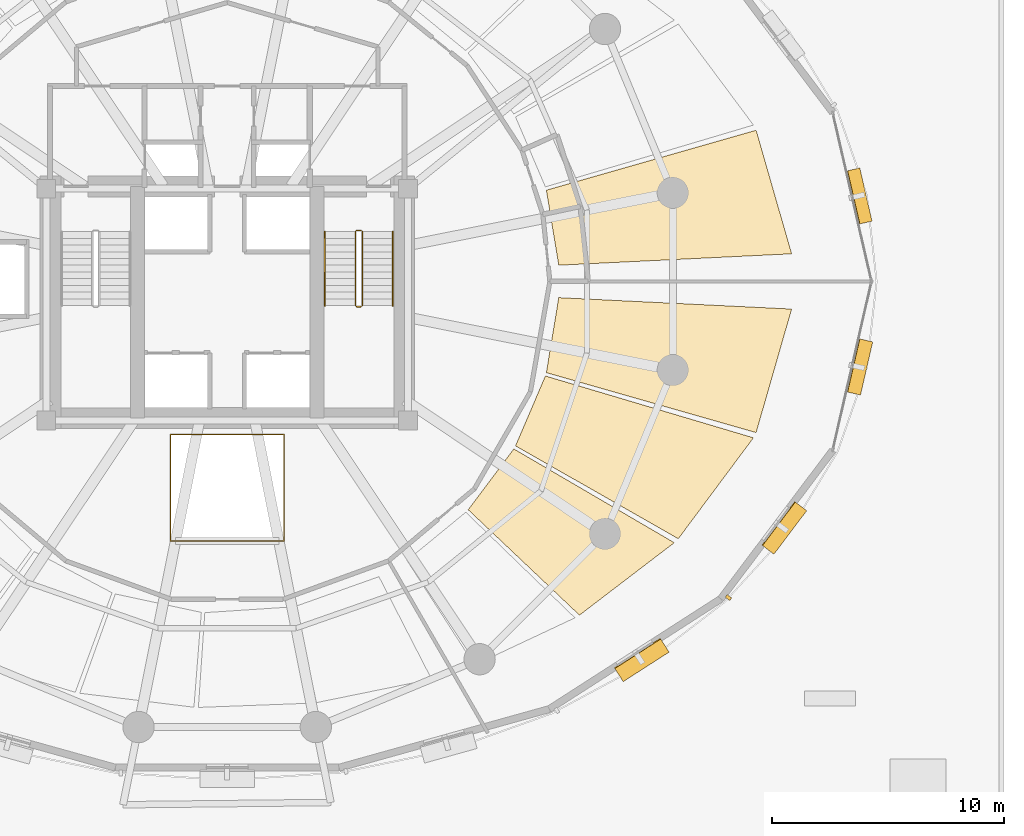
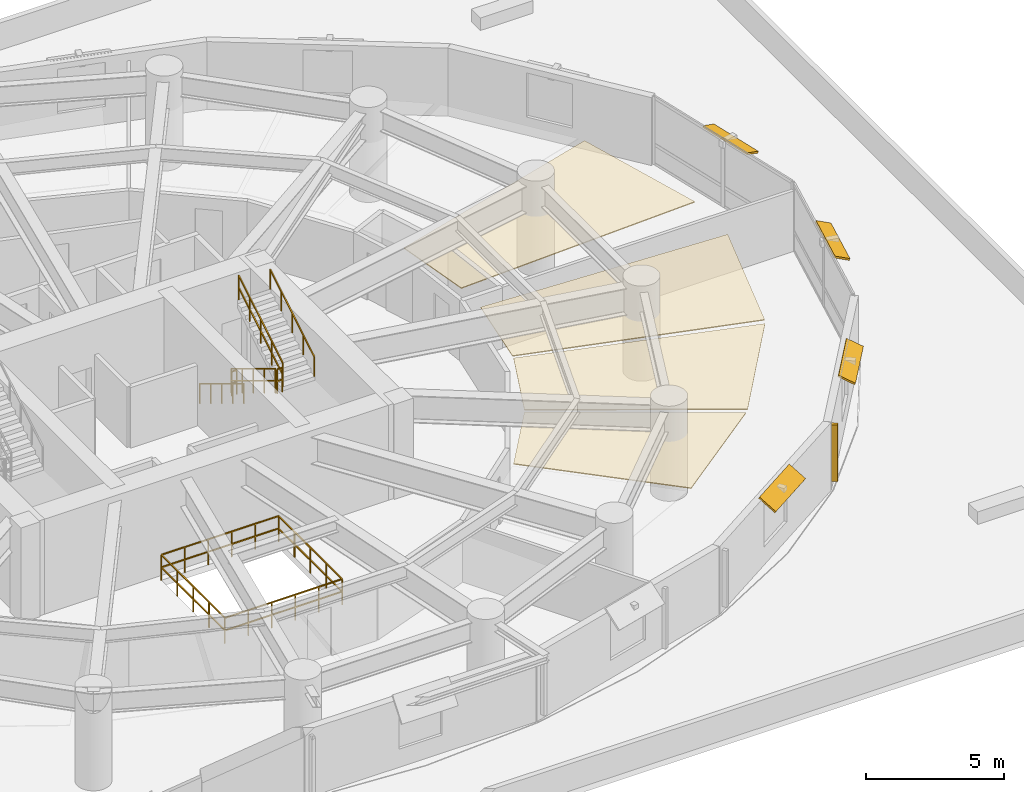
# One storey, part 14 of 15: 7 railings, 5 shading devices, 4 coverings.
"""IFC4 building model written with IfcOpenShell, lengths in metres."""

from ifc_helpers import new_model, si_unit, direction, frame, origin, origin_2d, place, context, subcontext, project, spatial, polyline, rectangle, outline, extrude, material, layer, layer_set, type_object, element, save


model = new_model("IFC4")

# Units and contexts
model_context = context("Model", 3, precision=1e-05, world=origin(), true_north=direction((0.0, 1.0)))
body_context = subcontext(model_context, "Body", "Model", "MODEL_VIEW")
ifc_project = project(units=[si_unit("LENGTHUNIT", "METRE"), si_unit("AREAUNIT", "SQUARE_METRE"), si_unit("VOLUMEUNIT", "CUBIC_METRE"), si_unit("PLANEANGLEUNIT", "RADIAN"), si_unit("MASSUNIT", "GRAM", prefix="KILO"), si_unit("THERMODYNAMICTEMPERATUREUNIT", "KELVIN"), si_unit("POWERUNIT", "WATT")], contexts=[model_context])

# Site, building, storey
site_placement = place(None, origin())
site = spatial("IfcSite", under=ifc_project, at=site_placement, CompositionType="ELEMENT")
building_placement = place(site_placement, origin())
building = spatial("IfcBuilding", under=site, at=building_placement, Name="Ocrelia Relay Tower", CompositionType="ELEMENT")
storey_placement = place(building_placement, frame((0.0, 0.0, 30.0)))
storey = spatial("IfcBuildingStorey", under=building, at=storey_placement, Name="L06", CompositionType="ELEMENT", Elevation=30.0)

# Coverings
ifc_material_1 = material(Name="Mineral-fiber acoustic ceiling tile", Category="gypsum")
ifc_layer_1 = layer(ifc_material_1, 0.0400390625, Name="Mineral-fiber acoustic ceiling tile")
ifc_layer_set_1 = layer_set([ifc_layer_1], Name="Mineral-fiber acoustic ceiling tile")
covering_type_1 = type_object("IfcCoveringType", Name="COV-CEIL-ACOUSTIC", PredefinedType="CEILING", material=ifc_layer_set_1)
covering_1_placement = place(storey_placement, frame((0.0, 0.0, 2.590087890625)))
element("IfcCovering", 1, at=covering_1_placement, inside=storey, type_object=covering_type_1, Name="L06 Operations Control Office Suspended Ceiling 1", PredefinedType="CEILING", context=body_context, shape_type="SweptSolid", body=[
    extrude(outline(polyline([(48.302978515625, 26.699462890625), (58.348876953125, 27.19091796875), (56.81640625, 32.52099609375), (47.768798828125, 29.93505859375), (48.302978515625, 26.699462890625)])), origin(), (0.0, 0.0, 1.0), 0.039794921875),
])
ifc_material_2 = material(Name="Cleanroom metal-pan acoustic ceiling", Category="aluminium")
ifc_layer_2 = layer(ifc_material_2, 0.0400390625, Name="Cleanroom metal-pan acoustic ceiling")
ifc_layer_set_2 = layer_set([ifc_layer_2], Name="Cleanroom metal-pan acoustic ceiling")
covering_type_2 = type_object("IfcCoveringType", Name="COV-CEIL-CLEAN", PredefinedType="CEILING", material=ifc_layer_set_2)
covering_2_placement = place(storey_placement, frame((0.0, 0.0, 2.590087890625)))
element("IfcCovering", 2, at=covering_2_placement, inside=storey, type_object=covering_type_2, Name="L06 Telemetry Operations Studio Suspended Ceiling 2", PredefinedType="CEILING", context=body_context, shape_type="SweptSolid", body=[
    extrude(outline(polyline([(44.39599609375, 16.15185546875), (49.196533203125, 11.604248046875), (53.287109375, 14.7294921875), (46.36376953125, 18.775146484375), (44.39599609375, 16.15185546875)])), origin(), (0.0, 0.0, 1.0), 0.039794921875),
])
covering_3_placement = place(storey_placement, frame((0.0, 0.0, 2.590087890625)))
element("IfcCovering", 3, at=covering_3_placement, inside=storey, type_object=covering_type_2, Name="L06 Telemetry Operations Studio Suspended Ceiling 3", PredefinedType="CEILING", context=body_context, shape_type="SweptSolid", body=[
    extrude(outline(polyline([(46.438720703125, 18.905029296875), (53.460205078125, 14.900146484375), (56.700927734375, 19.254150390625), (47.726806640625, 21.9208984375), (46.438720703125, 18.905029296875)])), origin(), (0.0, 0.0, 1.0), 0.039794921875),
])
covering_4_placement = place(storey_placement, frame((0.0, 0.0, 2.590087890625)))
element("IfcCovering", 4, at=covering_4_placement, inside=storey, type_object=covering_type_2, Name="L06 Telemetry Operations Studio Suspended Ceiling 4", PredefinedType="CEILING", context=body_context, shape_type="SweptSolid", body=[
    extrude(outline(polyline([(47.768798828125, 22.06494140625), (56.81640625, 19.47900390625), (58.348876953125, 24.80908203125), (48.302978515625, 25.300537109375), (47.768798828125, 22.06494140625)])), origin(), (0.0, 0.0, 1.0), 0.039794921875),
])

# Railings
ifc_material_3 = material(Name="Steel S355 atrium balustrade", Category="steel")
railing_type_1 = type_object("IfcRailingType", Name="RL-INT-GUARD-115", PredefinedType="GUARDRAIL", material=ifc_material_3)
railing_1_placement = place(storey_placement, frame((31.550048828125, 14.800048828125, 0.0)))
element("IfcRailing", 5, at=railing_1_placement, inside=storey, type_object=railing_type_1, Name="L06 Multi-Zone Interior Atrium Guard", PredefinedType="GUARDRAIL", context=body_context, shape_type="SweptSolid", body=[
    extrude(rectangle(XDim=0.048095703125, YDim=0.048095703125, at=origin_2d()), frame((0.0, 0.0, 1.1259765625), z_axis=(1.0, 0.0, 0.0), x_axis=(0.0, 1.0, 0.0)), (0.0, 0.0, 1.0), 4.89990234375),
    extrude(rectangle(XDim=0.048095703125, YDim=0.048095703125, at=origin_2d()), frame((0.0, 0.0, 0.574951171875), z_axis=(1.0, 0.0, 0.0), x_axis=(0.0, 1.0, 0.0)), (0.0, 0.0, 1.0), 4.89990234375),
    extrude(rectangle(XDim=0.048095703125, YDim=0.048095703125, at=origin_2d()), frame((4.89990234375, 0.0, 1.1259765625), z_axis=(0.0, 1.0, 0.0), x_axis=(-1.0, 0.0, 0.0)), (0.0, 0.0, 1.0), 4.599853515625),
    extrude(rectangle(XDim=0.048095703125, YDim=0.048095703125, at=origin_2d()), frame((4.89990234375, 0.0, 0.574951171875), z_axis=(0.0, 1.0, 0.0), x_axis=(-1.0, 0.0, 0.0)), (0.0, 0.0, 1.0), 4.599853515625),
    extrude(rectangle(XDim=0.048095703125, YDim=0.048095703125, at=origin_2d()), frame((4.89990234375, 4.599853515625, 1.1259765625), z_axis=(-1.0, 0.0, 0.0), x_axis=(0.0, -1.0, 0.0)), (0.0, 0.0, 1.0), 4.89990234375),
    extrude(rectangle(XDim=0.048095703125, YDim=0.048095703125, at=origin_2d()), frame((4.89990234375, 4.599853515625, 0.574951171875), z_axis=(-1.0, 0.0, 0.0), x_axis=(0.0, -1.0, 0.0)), (0.0, 0.0, 1.0), 4.89990234375),
    extrude(rectangle(XDim=0.048095703125, YDim=0.048095703125, at=origin_2d()), frame((0.0, 4.599853515625, 1.1259765625), z_axis=(0.0, -1.0, 0.0), x_axis=(1.0, 0.0, 0.0)), (0.0, 0.0, 1.0), 4.599853515625),
    extrude(rectangle(XDim=0.048095703125, YDim=0.048095703125, at=origin_2d()), frame((0.0, 4.599853515625, 0.574951171875), z_axis=(0.0, -1.0, 0.0), x_axis=(1.0, 0.0, 0.0)), (0.0, 0.0, 1.0), 4.599853515625),
    extrude(rectangle(XDim=0.0419921875, YDim=0.0419921875, at=origin_2d()), origin(), (0.0, 0.0, 1.0), 1.101806640625),
    extrude(rectangle(XDim=0.0419921875, YDim=0.0419921875, at=origin_2d()), frame((0.97998046875, 0.0, 0.0)), (0.0, 0.0, 1.0), 1.101806640625),
    extrude(rectangle(XDim=0.0419921875, YDim=0.0419921875, at=origin_2d()), frame((1.9599609375, 0.0, 0.0)), (0.0, 0.0, 1.0), 1.101806640625),
    extrude(rectangle(XDim=0.0419921875, YDim=0.0419921875, at=origin_2d()), frame((2.93994140625, 0.0, 0.0)), (0.0, 0.0, 1.0), 1.101806640625),
    extrude(rectangle(XDim=0.0419921875, YDim=0.0419921875, at=origin_2d()), frame((3.919921875, 0.0, 0.0)), (0.0, 0.0, 1.0), 1.101806640625),
    extrude(rectangle(XDim=0.0419921875, YDim=0.0419921875, at=origin_2d()), frame((4.89990234375, 0.0, 0.0)), (0.0, 0.0, 1.0), 1.101806640625),
    extrude(rectangle(XDim=0.0419921875, YDim=0.0419921875, at=origin_2d()), frame((4.89990234375, 1.14990234375, 0.0)), (0.0, 0.0, 1.0), 1.101806640625),
    extrude(rectangle(XDim=0.0419921875, YDim=0.0419921875, at=origin_2d()), frame((4.89990234375, 2.2998046875, 0.0)), (0.0, 0.0, 1.0), 1.101806640625),
    extrude(rectangle(XDim=0.0419921875, YDim=0.0419921875, at=origin_2d()), frame((4.89990234375, 3.449951171875, 0.0)), (0.0, 0.0, 1.0), 1.101806640625),
    extrude(rectangle(XDim=0.0419921875, YDim=0.0419921875, at=origin_2d()), frame((4.89990234375, 4.599853515625, 0.0)), (0.0, 0.0, 1.0), 1.101806640625),
    extrude(rectangle(XDim=0.0419921875, YDim=0.0419921875, at=origin_2d()), frame((3.919921875, 4.599853515625, 0.0)), (0.0, 0.0, 1.0), 1.101806640625),
    extrude(rectangle(XDim=0.0419921875, YDim=0.0419921875, at=origin_2d()), frame((2.93994140625, 4.599853515625, 0.0)), (0.0, 0.0, 1.0), 1.101806640625),
    extrude(rectangle(XDim=0.0419921875, YDim=0.0419921875, at=origin_2d()), frame((1.9599609375, 4.599853515625, 0.0)), (0.0, 0.0, 1.0), 1.101806640625),
    extrude(rectangle(XDim=0.0419921875, YDim=0.0419921875, at=origin_2d()), frame((0.97998046875, 4.599853515625, 0.0)), (0.0, 0.0, 1.0), 1.101806640625),
    extrude(rectangle(XDim=0.0419921875, YDim=0.0419921875, at=origin_2d()), frame((0.0, 4.599853515625, 0.0)), (0.0, 0.0, 1.0), 1.101806640625),
    extrude(rectangle(XDim=0.0419921875, YDim=0.0419921875, at=origin_2d()), frame((0.0, 3.449951171875, 0.0)), (0.0, 0.0, 1.0), 1.101806640625),
    extrude(rectangle(XDim=0.0419921875, YDim=0.0419921875, at=origin_2d()), frame((0.0, 2.2998046875, 0.0)), (0.0, 0.0, 1.0), 1.101806640625),
    extrude(rectangle(XDim=0.0419921875, YDim=0.0419921875, at=origin_2d()), frame((0.0, 1.14990234375, 0.0)), (0.0, 0.0, 1.0), 1.101806640625),
])
ifc_material_4 = material(Name="Steel S355 balustrade", Category="steel")
railing_type_2 = type_object("IfcRailingType", Name="RL-STAIR-GUARD", PredefinedType="GUARDRAIL", material=ifc_material_4)
railing_2_placement = place(storey_placement, frame((39.530029296875, 28.14990234375, 0.175048828125)))
element("IfcRailing", 6, at=railing_2_placement, inside=storey, type_object=railing_type_2, Name="L06 ST2 stair guard 1", PredefinedType="GUARDRAIL", context=body_context, shape_type="SweptSolid", body=[
    extrude(rectangle(XDim=0.048095703125, YDim=0.048095703125, at=origin_2d()), frame((0.0, 0.0, 1.076171875), z_axis=(0.0, -0.856177665481, 0.516681531633), x_axis=(1.0, 0.0, 0.0)), (0.0, 0.0, 1.0), 3.725830078125),
    extrude(rectangle(XDim=0.048095703125, YDim=0.048095703125, at=origin_2d()), frame((0.0, 0.0, 0.550048828125), z_axis=(0.0, -0.856177665481, 0.516681531633), x_axis=(1.0, 0.0, 0.0)), (0.0, 0.0, 1.0), 3.725830078125),
    extrude(rectangle(XDim=0.0419921875, YDim=0.0419921875, at=origin_2d()), origin(), (0.0, 0.0, 1.0), 1.052001953125),
    extrude(rectangle(XDim=0.0419921875, YDim=0.0419921875, at=origin_2d()), frame((0.0, -0.79736328125, 0.481201171875)), (0.0, 0.0, 1.0), 1.052001953125),
    extrude(rectangle(XDim=0.0419921875, YDim=0.0419921875, at=origin_2d()), frame((0.0, -1.594970703125, 0.96240234375)), (0.0, 0.0, 1.0), 1.052001953125),
    extrude(rectangle(XDim=0.0419921875, YDim=0.0419921875, at=origin_2d()), frame((0.0, -2.392578125, 1.44384765625)), (0.0, 0.0, 1.0), 1.052001953125),
    extrude(rectangle(XDim=0.0419921875, YDim=0.0419921875, at=origin_2d()), frame((0.0, -3.18994140625, 1.925048828125)), (0.0, 0.0, 1.0), 1.052001953125),
])
railing_3_placement = place(storey_placement, frame((39.580078125, 24.909912109375, 2.10009765625)))
element("IfcRailing", 7, at=railing_3_placement, inside=storey, type_object=railing_type_2, Name="L06 ST2 stair guard 2", PredefinedType="GUARDRAIL", context=body_context, shape_type="SweptSolid", body=[
    extrude(rectangle(XDim=0.048095703125, YDim=0.048095703125, at=origin_2d()), frame((0.0, 0.0, 1.076171875), z_axis=(1.0, 0.0, 0.0), x_axis=(0.0, 1.0, 0.0)), (0.0, 0.0, 1.0), 0.199951171875),
    extrude(rectangle(XDim=0.048095703125, YDim=0.048095703125, at=origin_2d()), frame((0.0, 0.0, 0.550048828125), z_axis=(1.0, 0.0, 0.0), x_axis=(0.0, 1.0, 0.0)), (0.0, 0.0, 1.0), 0.199951171875),
    extrude(rectangle(XDim=0.0419921875, YDim=0.0419921875, at=origin_2d()), origin(), (0.0, 0.0, 1.0), 1.052001953125),
    extrude(rectangle(XDim=0.0419921875, YDim=0.0419921875, at=origin_2d()), frame((0.199951171875, 0.0, 0.0)), (0.0, 0.0, 1.0), 1.052001953125),
])
railing_4_placement = place(storey_placement, frame((39.830078125, 24.9599609375, 2.27490234375)))
element("IfcRailing", 8, at=railing_4_placement, inside=storey, type_object=railing_type_2, Name="L06 ST2 stair guard 3", PredefinedType="GUARDRAIL", context=body_context, shape_type="SweptSolid", body=[
    extrude(rectangle(XDim=0.048095703125, YDim=0.048095703125, at=origin_2d()), frame((0.0, 0.0, 1.076171875), z_axis=(0.0, 0.856177665481, 0.516681531633), x_axis=(-1.0, 0.0, 0.0)), (0.0, 0.0, 1.0), 3.725830078125),
    extrude(rectangle(XDim=0.048095703125, YDim=0.048095703125, at=origin_2d()), frame((0.0, 0.0, 0.550048828125), z_axis=(0.0, 0.856177665481, 0.516681531633), x_axis=(-1.0, 0.0, 0.0)), (0.0, 0.0, 1.0), 3.725830078125),
    extrude(rectangle(XDim=0.0419921875, YDim=0.0419921875, at=origin_2d()), origin(), (0.0, 0.0, 1.0), 1.052001953125),
    extrude(rectangle(XDim=0.0419921875, YDim=0.0419921875, at=origin_2d()), frame((0.0, 0.79736328125, 0.481201171875)), (0.0, 0.0, 1.0), 1.052001953125),
    extrude(rectangle(XDim=0.0419921875, YDim=0.0419921875, at=origin_2d()), frame((0.0, 1.594970703125, 0.96240234375)), (0.0, 0.0, 1.0), 1.052001953125),
    extrude(rectangle(XDim=0.0419921875, YDim=0.0419921875, at=origin_2d()), frame((0.0, 2.392578125, 1.44384765625)), (0.0, 0.0, 1.0), 1.052001953125),
    extrude(rectangle(XDim=0.0419921875, YDim=0.0419921875, at=origin_2d()), frame((0.0, 3.18994140625, 1.925048828125)), (0.0, 0.0, 1.0), 1.052001953125),
])
railing_5_placement = place(storey_placement, frame((39.580078125, 28.199951171875, 0.0)))
element("IfcRailing", 9, at=railing_5_placement, inside=storey, type_object=railing_type_2, Name="L06 ST2 stair guard 4", PredefinedType="GUARDRAIL", context=body_context, shape_type="SweptSolid", body=[
    extrude(rectangle(XDim=0.048095703125, YDim=0.048095703125, at=origin_2d()), frame((0.0, 0.0, 1.076171875), z_axis=(1.0, 0.0, 0.0), x_axis=(0.0, 1.0, 0.0)), (0.0, 0.0, 1.0), 0.199951171875),
    extrude(rectangle(XDim=0.048095703125, YDim=0.048095703125, at=origin_2d()), frame((0.0, 0.0, 0.550048828125), z_axis=(1.0, 0.0, 0.0), x_axis=(0.0, 1.0, 0.0)), (0.0, 0.0, 1.0), 0.199951171875),
    extrude(rectangle(XDim=0.0419921875, YDim=0.0419921875, at=origin_2d()), origin(), (0.0, 0.0, 1.0), 1.052001953125),
    extrude(rectangle(XDim=0.0419921875, YDim=0.0419921875, at=origin_2d()), frame((0.199951171875, 0.0, 0.0)), (0.0, 0.0, 1.0), 1.052001953125),
])
ifc_material_5 = material(Name="Steel S355 tubular handrail", Category="steel")
railing_type_3 = type_object("IfcRailingType", Name="RL-STAIR-HAND", PredefinedType="HANDRAIL", material=ifc_material_5)
railing_6_placement = place(storey_placement, frame((38.2099609375, 28.14990234375, 0.175048828125)))
element("IfcRailing", 10, at=railing_6_placement, inside=storey, type_object=railing_type_3, Name="L06 ST2 stair handrail 1", PredefinedType="HANDRAIL", context=body_context, shape_type="SweptSolid", body=[
    extrude(rectangle(XDim=0.048095703125, YDim=0.048095703125, at=origin_2d()), frame((0.0, 0.0, 0.8759765625), z_axis=(0.0, -0.856177665481, 0.516681531633), x_axis=(1.0, 0.0, 0.0)), (0.0, 0.0, 1.0), 3.725830078125),
    extrude(rectangle(XDim=0.0419921875, YDim=0.0419921875, at=origin_2d()), origin(), (0.0, 0.0, 1.0), 0.851806640625),
    extrude(rectangle(XDim=0.0419921875, YDim=0.0419921875, at=origin_2d()), frame((0.0, -0.79736328125, 0.481201171875)), (0.0, 0.0, 1.0), 0.851806640625),
    extrude(rectangle(XDim=0.0419921875, YDim=0.0419921875, at=origin_2d()), frame((0.0, -1.594970703125, 0.96240234375)), (0.0, 0.0, 1.0), 0.851806640625),
    extrude(rectangle(XDim=0.0419921875, YDim=0.0419921875, at=origin_2d()), frame((0.0, -2.392578125, 1.44384765625)), (0.0, 0.0, 1.0), 0.851806640625),
    extrude(rectangle(XDim=0.0419921875, YDim=0.0419921875, at=origin_2d()), frame((0.0, -3.18994140625, 1.925048828125)), (0.0, 0.0, 1.0), 0.851806640625),
])
railing_7_placement = place(storey_placement, frame((41.14990234375, 24.9599609375, 2.27490234375)))
element("IfcRailing", 11, at=railing_7_placement, inside=storey, type_object=railing_type_3, Name="L06 ST2 stair handrail 2", PredefinedType="HANDRAIL", context=body_context, shape_type="SweptSolid", body=[
    extrude(rectangle(XDim=0.048095703125, YDim=0.048095703125, at=origin_2d()), frame((0.0, 0.0, 0.8759765625), z_axis=(0.0, 0.856177665481, 0.516681531633), x_axis=(-1.0, 0.0, 0.0)), (0.0, 0.0, 1.0), 3.725830078125),
    extrude(rectangle(XDim=0.0419921875, YDim=0.0419921875, at=origin_2d()), origin(), (0.0, 0.0, 1.0), 0.851806640625),
    extrude(rectangle(XDim=0.0419921875, YDim=0.0419921875, at=origin_2d()), frame((0.0, 0.79736328125, 0.481201171875)), (0.0, 0.0, 1.0), 0.851806640625),
    extrude(rectangle(XDim=0.0419921875, YDim=0.0419921875, at=origin_2d()), frame((0.0, 1.594970703125, 0.96240234375)), (0.0, 0.0, 1.0), 0.851806640625),
    extrude(rectangle(XDim=0.0419921875, YDim=0.0419921875, at=origin_2d()), frame((0.0, 2.392578125, 1.44384765625)), (0.0, 0.0, 1.0), 0.851806640625),
    extrude(rectangle(XDim=0.0419921875, YDim=0.0419921875, at=origin_2d()), frame((0.0, 3.18994140625, 1.925048828125)), (0.0, 0.0, 1.0), 0.851806640625),
])

# Shading devices
ifc_material_6 = material(Name="Extruded oxide terracotta vertical baguette", Category="masonry")
shading_device_type_1 = type_object("IfcShadingDeviceType", Name="SH-TERR-BAGUETTE", PredefinedType="USERDEFINED", material=ifc_material_6)
shading_device_1_placement = place(storey_placement, frame((55.6240234375, 12.36181640625, 0.25), z_axis=(0.0, 0.0, 1.0), x_axis=(0.601809563303, 0.79863962431, 0.0)))
element("IfcShadingDevice", 12, at=shading_device_1_placement, inside=storey, type_object=shading_device_type_1, Name="L06 Oxide Terracotta Vertical Baguette 17", ObjectType="BAGUETTE", PredefinedType="USERDEFINED", context=body_context, shape_type="SweptSolid", body=[
    extrude(rectangle(XDim=0.139892578125, YDim=0.239990234375, at=origin_2d()), origin(), (0.0, 0.0, 1.0), 2.5),
])
ifc_material_7 = material(Name="Extruded oxide terracotta fin", Category="masonry")
ifc_layer_3 = layer(ifc_material_7, 0.080078125, Name="Extruded oxide terracotta fin")
ifc_layer_set_3 = layer_set([ifc_layer_3], Name="Extruded oxide terracotta fin")
shading_device_type_2 = type_object("IfcShadingDeviceType", Name="SH-VISOR-FIN-MED", PredefinedType="USERDEFINED", material=ifc_layer_set_3)
shading_device_2_placement = place(storey_placement, frame((51.868896484375, 9.69140625, 2.806396484375), z_axis=(0.292788459542, -0.455417242583, 0.840755644119), x_axis=(0.841161476755, 0.5407840327, 0.0)))
element("IfcShadingDevice", 13, at=shading_device_2_placement, inside=storey, type_object=shading_device_type_2, Name="L06 Canted Terracotta Sun-Visor Fin 16", ObjectType="FIN", PredefinedType="USERDEFINED", context=body_context, shape_type="SweptSolid", body=[
    extrude(rectangle(XDim=2.35009765625, YDim=0.7958984375, at=origin_2d()), origin(), (0.0, 0.0, 1.0), 0.080078125),
])
ifc_layer_4 = layer(ifc_material_7, 0.080078125, Name="Extruded oxide terracotta fin")
ifc_layer_set_4 = layer_set([ifc_layer_4], Name="Extruded oxide terracotta fin")
shading_device_type_3 = type_object("IfcShadingDeviceType", Name="SH-VISOR-FIN-SHAL", PredefinedType="USERDEFINED", material=ifc_layer_set_4)
shading_device_3_placement = place(storey_placement, frame((61.26513671875, 29.682373046875, 2.80224609375), z_axis=(0.318722085897, 0.073347642692, 0.945006008062), x_axis=(-0.224268389459, 0.974527418542, 0.0)))
element("IfcShadingDevice", 14, at=shading_device_3_placement, inside=storey, type_object=shading_device_type_3, Name="L06 Canted Terracotta Sun-Visor Fin 01", ObjectType="FIN", PredefinedType="USERDEFINED", context=body_context, shape_type="SweptSolid", body=[
    extrude(rectangle(XDim=2.35009765625, YDim=0.568115234375, at=origin_2d()), origin(), (0.0, 0.0, 1.0), 0.080078125),
])
shading_device_4_placement = place(storey_placement, frame((58.017822265625, 15.380126953125, 2.80419921875), z_axis=(0.352729130899, -0.265796684473, 0.897181298701), x_axis=(0.601809563303, 0.79863962431, 0.0)))
element("IfcShadingDevice", 15, at=shading_device_4_placement, inside=storey, type_object=shading_device_type_3, Name="L06 Canted Terracotta Sun-Visor Fin 17", ObjectType="FIN", PredefinedType="USERDEFINED", context=body_context, shape_type="SweptSolid", body=[
    extrude(rectangle(XDim=2.35009765625, YDim=0.68701171875, at=origin_2d()), origin(), (0.0, 0.0, 1.0), 0.080078125),
])
shading_device_5_placement = place(storey_placement, frame((61.27587890625, 22.31640625, 2.802978515625), z_axis=(0.361908138108, -0.083286066376, 0.928485826881), x_axis=(0.224268389459, 0.974527418542, 0.0)))
element("IfcShadingDevice", 16, at=shading_device_5_placement, inside=storey, type_object=shading_device_type_3, Name="L06 Canted Terracotta Sun-Visor Fin 18", ObjectType="FIN", PredefinedType="USERDEFINED", context=body_context, shape_type="SweptSolid", body=[
    extrude(rectangle(XDim=2.35009765625, YDim=0.613037109375, at=origin_2d()), origin(), (0.0, 0.0, 1.0), 0.080078125),
])

save(model, "model.ifc")
